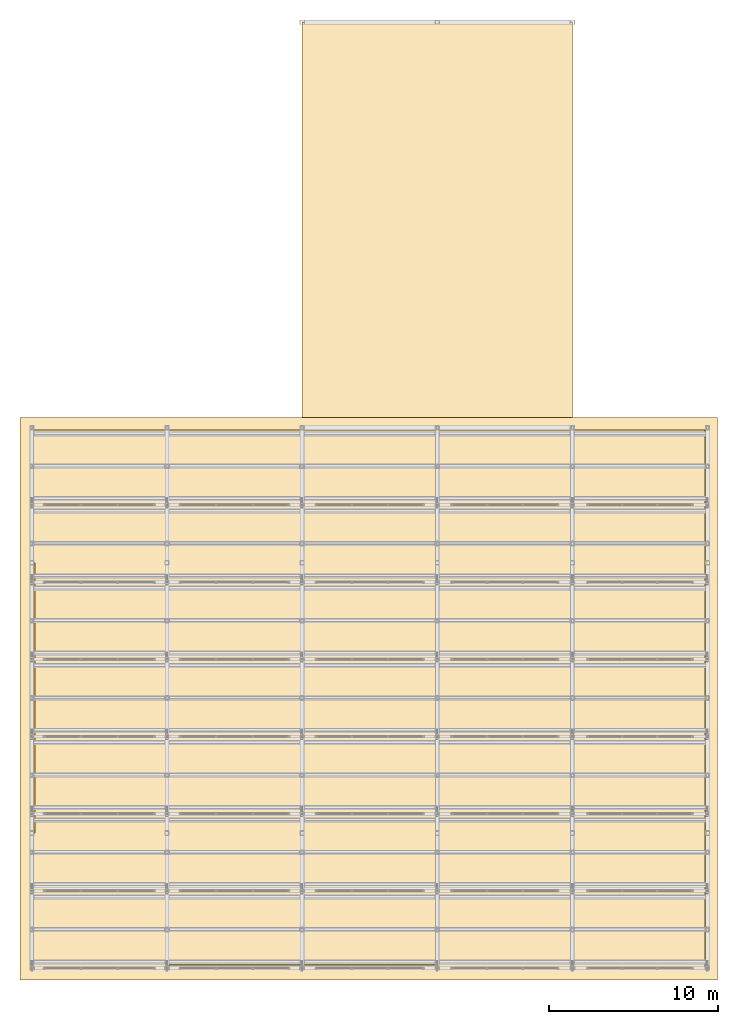
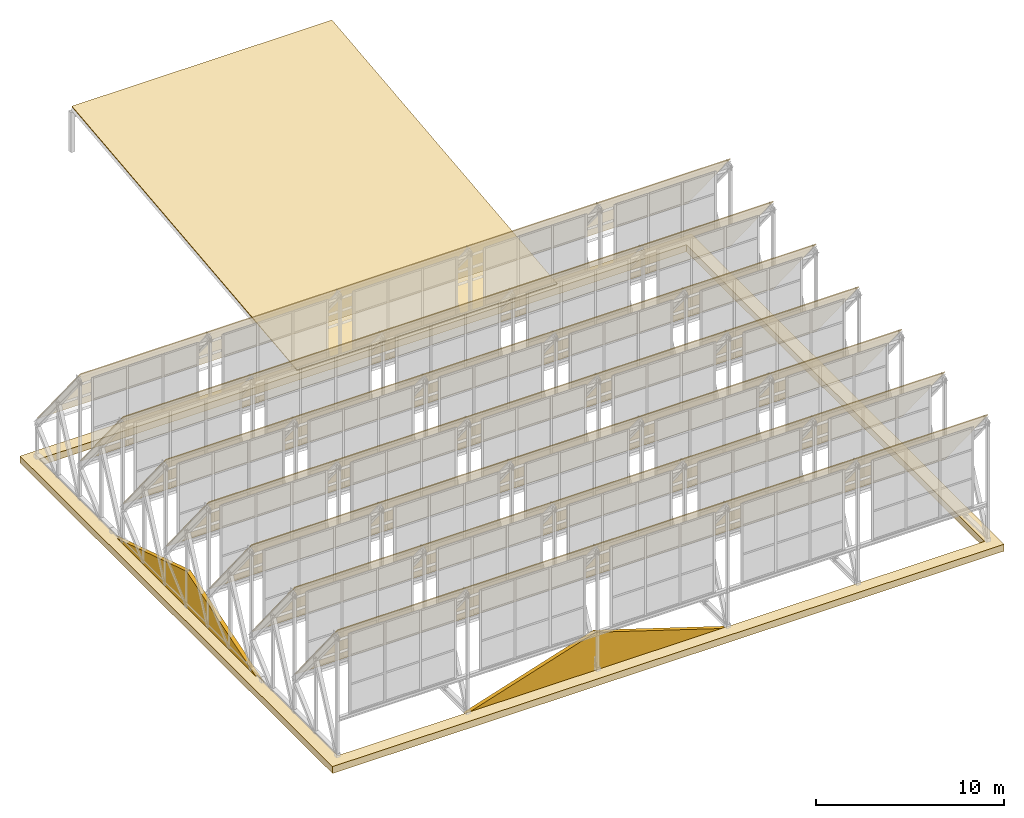
# One storey, part 34 of 34: 11 coverings.
"""IFC4 building model written with IfcOpenShell, lengths in metres."""

from ifc_helpers import new_model, si_unit, direction, frame, origin, place, context, subcontext, project, spatial, polyline, outline, extrude, material, layer, layer_set, type_object, element, save


model = new_model("IFC4")

# Units and contexts
model_context = context("Model", 3, precision=1e-05, world=origin(), true_north=direction((0.0, 1.0)))
body_context = subcontext(model_context, "Body", "Model", "MODEL_VIEW")
ifc_project = project(units=[si_unit("LENGTHUNIT", "METRE"), si_unit("AREAUNIT", "SQUARE_METRE"), si_unit("VOLUMEUNIT", "CUBIC_METRE"), si_unit("PLANEANGLEUNIT", "RADIAN"), si_unit("MASSUNIT", "GRAM", prefix="KILO")], contexts=[model_context])

# Site, building, storey
site_placement = place(None, origin())
site = spatial("IfcSite", under=ifc_project, at=site_placement, CompositionType="ELEMENT")
building_placement = place(site_placement, origin())
building = spatial("IfcBuilding", under=site, at=building_placement, Name="Qorikala Patio Media Centre", CompositionType="ELEMENT")
storey_placement = place(building_placement, frame((0.0, 0.0, 32.699951171875)))
storey = spatial("IfcBuildingStorey", under=building, at=storey_placement, Name="RF", CompositionType="ELEMENT", Elevation=32.699951171875)

# Coverings
ifc_material_1 = material(Name="Comanche Granite Ashlar Stone", Category="masonry")
ifc_layer_1 = layer(ifc_material_1, 0.06005859375)
ifc_layer_set_1 = layer_set([ifc_layer_1], Name="Comanche Granite Ashlar Stone")
covering_type_1 = type_object("IfcCoveringType", Name="COV-CLAD-STONE", PredefinedType="CLADDING", material=ifc_layer_set_1)
covering_1_placement = place(storey_placement, frame((0.0, 0.0, -0.25)))
element("IfcCovering", 1, at=covering_1_placement, inside=storey, type_object=covering_type_1, Name="Classical Moulded Stone Cornice CORN-V1-TOP", PredefinedType="CLADDING", context=body_context, shape_type="SweptSolid", body=[
    extrude(outline(polyline([(2.300048828125, 2.300048828125), (43.60009765625, 2.300048828125), (43.60009765625, 35.60009765625), (2.300048828125, 35.60009765625), (2.300048828125, 2.300048828125)]), holes=[polyline([(3.050048828125, 3.050048828125), (42.85009765625, 3.050048828125), (42.85009765625, 34.85009765625), (3.050048828125, 34.85009765625), (3.050048828125, 3.050048828125)])]), origin(), (0.0, 0.0, 1.0), 0.449951171875),
])
for number, where, z_axis, x_axis, name in (
    (2, (11.0, 3.18994140625, 0.0), (0.0, -1.0, 0.0), (1.0, 0.0, 0.0), "Spanish Colonial Espadana Stone Pediment ESP-CORNER-S"),
    (3, (3.18994140625, 11.0, 0.0), (1.0, 0.0, 0.0), (0.0, 1.0, 0.0), "Spanish Colonial Espadana Stone Pediment ESP-CORNER-W"),
):
    element("IfcCovering", number, at=place(storey_placement, frame(where, z_axis=z_axis, x_axis=x_axis)), inside=storey, type_object=covering_type_1, Name=name, PredefinedType="CLADDING", context=body_context, shape_type="SweptSolid", body=[
        extrude(outline(polyline([(0.0, 0.0), (16.0, 0.0), (8.0, 2.550048828125), (0.0, 0.0)])), origin(), (0.0, 0.0, -1.0), 0.239990234375),
    ])
ifc_material_2 = material(Name="Standing-Seam Bronze Insulated Roofing")
ifc_layer_2 = layer(ifc_material_2, 0.050048828125)
ifc_layer_set_2 = layer_set([ifc_layer_2], Name="Standing-Seam Bronze Insulated Roofing")
covering_type_2 = type_object("IfcCoveringType", Name="COV-ROOF-METAL", PredefinedType="ROOFING", material=ifc_layer_set_2)
covering_2_placement = place(storey_placement, frame((3.0, 3.0, 8.449951171875), z_axis=(0.0, 0.777409127773, 0.628995268707), x_axis=(1.0, 0.0, 0.0)))
element("IfcCovering", 4, at=covering_2_placement, inside=storey, type_object=covering_type_2, Name="SAW-V1 Insulated Standing-Seam Roof Bay 1", PredefinedType="ROOFING", context=body_context, shape_type="SweptSolid", body=[
    extrude(outline(polyline([(0.0, 0.0), (40.0, 0.0), (40.0, 7.267604845259809), (0.0, 7.267604845259809), (0.0, 0.0)])), origin(), (0.0, 0.0, -1.0), 0.050048828125),
])
for number, where, z_axis, x_axis, name in (
    (5, (3.0, 7.5712890625, 8.449951171875), (0.0, 0.777392701327, 0.629015570493), (1.0, 0.0, 0.0), "SAW-V1 Insulated Standing-Seam Roof Bay 2"),
    (6, (3.0, 12.142822265625, 8.449951171875), (0.0, 0.777392701327, 0.629015570493), (1.0, 0.0, 0.0), "SAW-V1 Insulated Standing-Seam Roof Bay 3"),
):
    element("IfcCovering", number, at=place(storey_placement, frame(where, z_axis=z_axis, x_axis=x_axis)), inside=storey, type_object=covering_type_2, Name=name, PredefinedType="ROOFING", context=body_context, shape_type="SweptSolid", body=[
        extrude(outline(polyline([(0.0, 0.0), (40.0, 0.0), (40.0, 7.267758411036105), (0.0, 7.267758411036105), (0.0, 0.0)])), origin(), (0.0, 0.0, -1.0), 0.050048828125),
    ])
covering_3_placement = place(storey_placement, frame((3.0, 16.71435546875, 8.449951171875), z_axis=(0.0, 0.777409127773, 0.628995268707), x_axis=(1.0, 0.0, 0.0)))
element("IfcCovering", 7, at=covering_3_placement, inside=storey, type_object=covering_type_2, Name="SAW-V1 Insulated Standing-Seam Roof Bay 4", PredefinedType="ROOFING", context=body_context, shape_type="SweptSolid", body=[
    extrude(outline(polyline([(0.0, 0.0), (40.0, 0.0), (40.0, 7.267604845259809), (0.0, 7.267604845259809), (0.0, 0.0)])), origin(), (0.0, 0.0, -1.0), 0.050048828125),
])
covering_4_placement = place(storey_placement, frame((3.0, 21.28564453125, 8.449951171875), z_axis=(0.0, 0.777392701327, 0.629015570493), x_axis=(1.0, 0.0, 0.0)))
element("IfcCovering", 8, at=covering_4_placement, inside=storey, type_object=covering_type_2, Name="SAW-V1 Insulated Standing-Seam Roof Bay 5", PredefinedType="ROOFING", context=body_context, shape_type="SweptSolid", body=[
    extrude(outline(polyline([(0.0, 0.0), (40.0, 0.0), (40.0, 7.267758411036105), (0.0, 7.267758411036105), (0.0, 0.0)])), origin(), (0.0, 0.0, -1.0), 0.050048828125),
])
for number, where, z_axis, x_axis, name in (
    (9, (3.0, 25.857177734375, 8.449951171875), (0.0, 0.777409127773, 0.628995268707), (1.0, 0.0, 0.0), "SAW-V1 Insulated Standing-Seam Roof Bay 6"),
    (10, (3.0, 30.4287109375, 8.449951171875), (0.0, 0.777409127773, 0.628995268707), (1.0, 0.0, 0.0), "SAW-V1 Insulated Standing-Seam Roof Bay 7"),
):
    element("IfcCovering", number, at=place(storey_placement, frame(where, z_axis=z_axis, x_axis=x_axis)), inside=storey, type_object=covering_type_2, Name=name, PredefinedType="ROOFING", context=body_context, shape_type="SweptSolid", body=[
        extrude(outline(polyline([(0.0, 0.0), (40.0, 0.0), (40.0, 7.267604845259809), (0.0, 7.267604845259809), (0.0, 0.0)])), origin(), (0.0, 0.0, -1.0), 0.050048828125),
    ])
ifc_material_3 = material(Name="Spanish Terracotta Clay Tile", Category="masonry")
ifc_layer_3 = layer(ifc_material_3, 0.054931640625)
ifc_layer_set_3 = layer_set([ifc_layer_3], Name="Spanish Terracotta Clay Tile")
covering_type_3 = type_object("IfcCoveringType", Name="COV-ROOF-TILE", PredefinedType="ROOFING", material=ifc_layer_set_3)
covering_5_placement = place(storey_placement, frame((19.0, 35.0, 0.320068359375), z_axis=(0.0, -0.107707167096, 0.994182662369), x_axis=(1.0, 0.0, 0.0)))
element("IfcCovering", 11, at=covering_5_placement, inside=storey, type_object=covering_type_3, Name="Rooftop Screen Pavilion Clay-Tile Roof", PredefinedType="ROOFING", context=body_context, shape_type="SweptSolid", body=[
    extrude(outline(polyline([(0.0, 0.0), (16.0, 0.0), (16.0, 24.140433049596208), (0.0, 24.140433049596208), (0.0, 0.0)])), origin(), (0.0, 0.0, -1.0), 0.054931640625),
])

save(model, "model.ifc")
